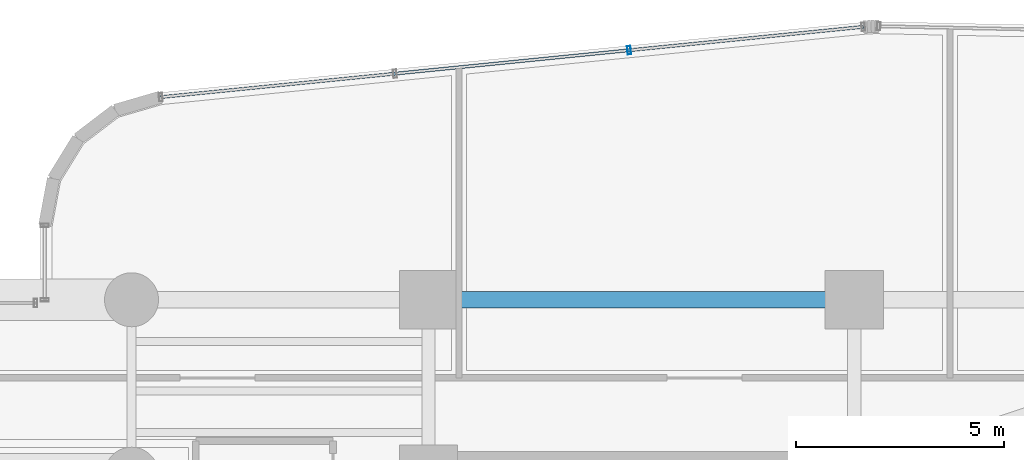
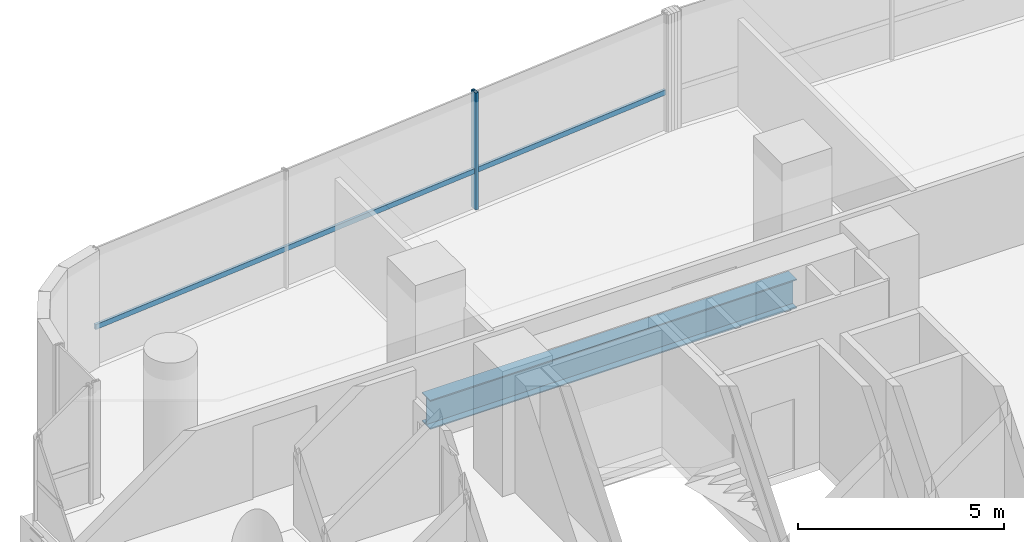
# One storey, part 20 of 40: 2 members, 1 beam, 1 element without a shape of its own.
"""IFC4 building model written with IfcOpenShell, lengths in metres."""

from ifc_helpers import new_model, si_unit, direction, frame, origin, origin_2d, place, context, subcontext, project, spatial, hollow_rectangle, i_section, extrude, source, transform, mapped, material, material_profile, profile_set, type_object, element, aggregate, save


model = new_model("IFC4")

# Units and contexts
model_context = context("Model", 3, precision=1e-05, world=origin(), true_north=direction((0.0, 1.0)))
body_context = subcontext(model_context, "Body", "Model", "MODEL_VIEW")
ifc_project = project(units=[si_unit("LENGTHUNIT", "METRE"), si_unit("AREAUNIT", "SQUARE_METRE"), si_unit("VOLUMEUNIT", "CUBIC_METRE"), si_unit("PLANEANGLEUNIT", "RADIAN"), si_unit("MASSUNIT", "GRAM", prefix="KILO")], contexts=[model_context])

# Site, building, storey
site_placement = place(None, origin())
site = spatial("IfcSite", under=ifc_project, at=site_placement, CompositionType="ELEMENT")
building_placement = place(site_placement, origin())
building = spatial("IfcBuilding", under=site, at=building_placement, Name="Valdorenza Pilgrim Sanctuary Tower", CompositionType="ELEMENT")
storey_placement = place(building_placement, frame((0.0, 0.0, 48.199951171875)))
storey = spatial("IfcBuildingStorey", under=building, at=storey_placement, Name="L11", CompositionType="ELEMENT", Elevation=48.199951171875)

# Beam
ifc_material_1 = material(Name="Steel ASTM A992 Grade 50", Category="steel")
ifc_material_profile_1 = material_profile(ifc_material_1, i_section(OverallWidth=0.39990234375, OverallDepth=0.862060546875, WebThickness=0.019775390625, FlangeThickness=0.032470703125, at=origin_2d()), Name="W33X221")
ifc_profile_set_1 = profile_set([ifc_material_profile_1], Name="Steel ASTM A992 Grade 50")
beam_type = type_object("IfcBeamType", Name="STR-BM-GRD-W33", PredefinedType="BEAM", material=ifc_profile_set_1)
shared_shape_1 = source(origin(), body_context, "Body", "SweptSolid", [
    extrude(i_section(OverallWidth=0.39990234375, OverallDepth=0.862060546875, WebThickness=0.019775390625, FlangeThickness=0.032470703125, at=origin_2d()), origin(), (0.0, 0.0, 1.0), 10.25),
])
beam_placement = place(storey_placement, frame((-22.64990234375, 14.800048828125, -0.6708984375), z_axis=(1.0, 0.0, 0.0), x_axis=(0.0, 1.0, 0.0)))
element("IfcBeam", 1, at=beam_placement, inside=storey, type_object=beam_type, Name="L11 Floor Girder CA-XC-N2", PredefinedType="BEAM", context=body_context, shape_type="MappedRepresentation", body=[
    mapped(shared_shape_1, transform((0.0, 0.0, 0.0), x_axis=(1.0, 0.0, 0.0), y_axis=(0.0, 1.0, 0.0), z_axis=(0.0, 0.0, 1.0), scale=1.0)),
])

# Curtain wall, members
ifc_material_2 = material(Name="Curtain-wall IGU glazing", Category="glass")
curtain_wall_type = type_object("IfcCurtainWallType", Name="CW-SYS-02", PredefinedType="NOTDEFINED", material=ifc_material_2)
curtain_wall_placement = place(storey_placement, origin())
curtain_wall = element("IfcCurtainWall", 2, at=curtain_wall_placement, inside=storey, type_object=curtain_wall_type, Name="L11 Curtain Wall CW-L11-1-6", PredefinedType="NOTDEFINED")
ifc_material_3 = material(Name="Anodised aluminium AW-6060", Category="aluminium")
ifc_material_profile_2 = material_profile(ifc_material_3, hollow_rectangle(XDim=0.0849609375, YDim=0.199951171875, WallThickness=0.0048828125, at=origin_2d()), Name="ALU-M 200x85x5")
ifc_profile_set_2 = profile_set([ifc_material_profile_2], Name="Anodised aluminium AW-6060")
member_type_1 = type_object("IfcMemberType", Name="CW-MUL-02", PredefinedType="MULLION", material=ifc_profile_set_2)
shared_shape_2 = source(origin(), body_context, "Body", "SweptSolid", [
    extrude(hollow_rectangle(XDim=0.0849609375, YDim=0.199951171875, WallThickness=0.0048828125, at=origin_2d()), origin(), (0.0, 0.0, 1.0), 3.4599609375),
])
member_1_placement = place(storey_placement, frame((-17.820556640625, 20.8076171875, 0.0), z_axis=(0.0, 0.0, 1.0), x_axis=(0.995038220239, 0.099493418189, 0.0)))
member_1 = element("IfcMember", 3, at=member_1_placement, type_object=member_type_1, Name="CW-L11-1-6 Mullion 3", PredefinedType="MULLION", context=body_context, shape_type="MappedRepresentation", body=[
    mapped(shared_shape_2, transform((0.0, 0.0, 0.0), x_axis=(1.0, 0.0, 0.0), y_axis=(0.0, 1.0, 0.0), z_axis=(0.0, 0.0, 1.0), scale=1.0)),
])
ifc_material_profile_3 = material_profile(ifc_material_3, hollow_rectangle(XDim=0.074951171875, YDim=0.14990234375, WallThickness=0.00390625, at=origin_2d()), Name="ALU-T 150x75x4")
ifc_profile_set_3 = profile_set([ifc_material_profile_3], Name="Anodised aluminium AW-6060")
member_type_2 = type_object("IfcMemberType", Name="CW-TRN-02", PredefinedType="USERDEFINED", material=ifc_profile_set_3)
shared_shape_3 = source(origin(), body_context, "Body", "SweptSolid", [
    extrude(hollow_rectangle(XDim=0.074951171875, YDim=0.14990234375, WallThickness=0.00390625, at=origin_2d()), origin(), (0.0, 0.0, 1.0), 17.0),
])
member_2_placement = place(storey_placement, frame((-29.097412109375, 19.6796875, 1.1201171875), z_axis=(0.99503662143, 0.099509406661, 0.0), x_axis=(-0.099509406661, 0.99503662143, 0.0)))
member_2 = element("IfcMember", 4, at=member_2_placement, type_object=member_type_2, Name="CW-L11-1-6 Transom 1", ObjectType="TRANSOM", PredefinedType="USERDEFINED", context=body_context, shape_type="MappedRepresentation", body=[
    mapped(shared_shape_3, transform((0.0, 0.0, 0.0), x_axis=(1.0, 0.0, 0.0), y_axis=(0.0, 1.0, 0.0), z_axis=(0.0, 0.0, 1.0), scale=1.0)),
])
aggregate(curtain_wall, [member_1, member_2])

save(model, "model.ifc")
